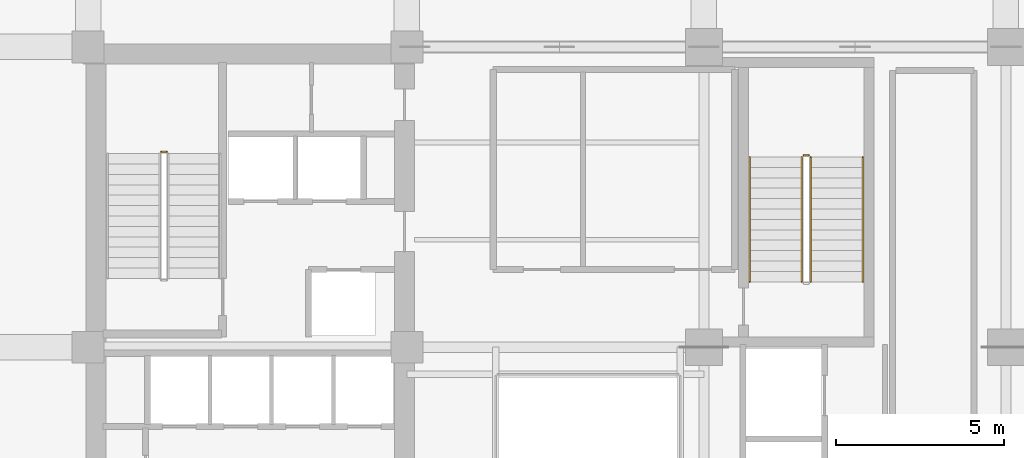
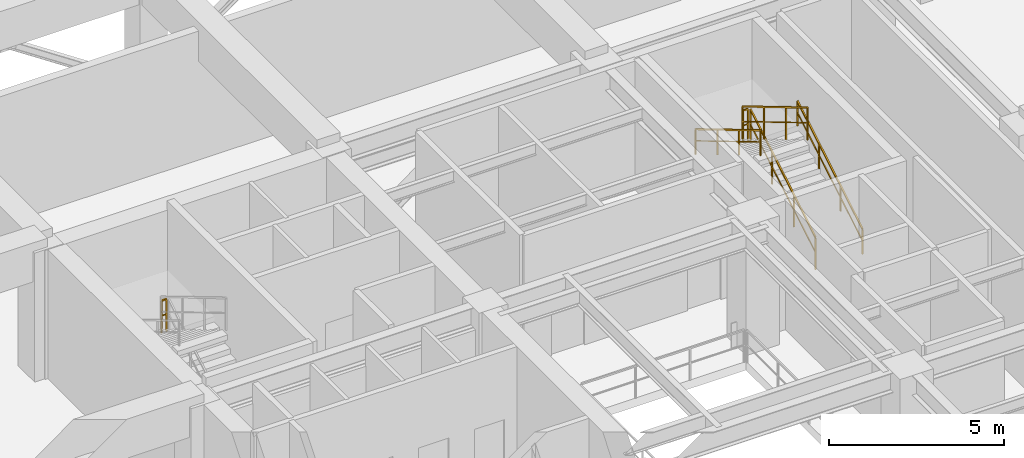
# One storey, part 10 of 10: 6 railings.
"""IFC4 building model written with IfcOpenShell, lengths in metres."""

from ifc_helpers import new_model, si_unit, direction, frame, origin, origin_2d, place, context, subcontext, project, spatial, rectangle, extrude, material, type_object, element, save


model = new_model("IFC4")

# Units and contexts
model_context = context("Model", 3, precision=1e-05, world=origin(), true_north=direction((0.0, 1.0)))
body_context = subcontext(model_context, "Body", "Model", "MODEL_VIEW")
ifc_project = project(units=[si_unit("LENGTHUNIT", "METRE"), si_unit("AREAUNIT", "SQUARE_METRE"), si_unit("VOLUMEUNIT", "CUBIC_METRE"), si_unit("PLANEANGLEUNIT", "RADIAN"), si_unit("MASSUNIT", "GRAM", prefix="KILO")], contexts=[model_context])

# Site, building, storey
site_placement = place(None, origin())
site = spatial("IfcSite", under=ifc_project, at=site_placement, CompositionType="ELEMENT")
building_placement = place(site_placement, origin())
building = spatial("IfcBuilding", under=site, at=building_placement, Name="Kundavana Baori Tower", CompositionType="ELEMENT")
storey_placement = place(building_placement, frame((0.0, 0.0, 94.0)))
storey = spatial("IfcBuildingStorey", under=building, at=storey_placement, Name="L22", CompositionType="ELEMENT", Elevation=94.0)

# Railings
ifc_material_1 = material(Name="Architectural Patinated Bronze Metalwork")
railing_type_1 = type_object("IfcRailingType", Name="RL-GRD-1150", PredefinedType="GUARDRAIL", material=ifc_material_1)
railing_1_placement = place(storey_placement, frame((17.7900390625, 38.820068359375, 2.39990234375)))
element("IfcRailing", 1, at=railing_1_placement, inside=storey, type_object=railing_type_1, Name="L22 ST2 stair guard 2", PredefinedType="GUARDRAIL", context=body_context, shape_type="SweptSolid", body=[
    extrude(rectangle(XDim=0.048095703125, YDim=0.048095703125, at=origin_2d()), frame((0.0, 0.0, 1.1259765625), z_axis=(-1.0, 0.0, 0.0), x_axis=(0.0, -1.0, 0.0)), (0.0, 0.0, 1.0), 0.16015625),
    extrude(rectangle(XDim=0.03125, YDim=0.03125, at=origin_2d()), frame((0.0, 0.0, 0.597900390625), z_axis=(-1.0, 0.0, 0.0), x_axis=(0.0, -1.0, 0.0)), (0.0, 0.0, 1.0), 0.16015625),
    extrude(rectangle(XDim=0.0419921875, YDim=0.0419921875, at=origin_2d()), origin(), (0.0, 0.0, 1.0), 1.101806640625),
    extrude(rectangle(XDim=0.0419921875, YDim=0.0419921875, at=origin_2d()), frame((-0.16015625, 0.0, 0.0)), (0.0, 0.0, 1.0), 1.101806640625),
])
railing_2_placement = place(storey_placement, frame((36.97998046875, 34.949951171875, 0.1845703125)))
element("IfcRailing", 2, at=railing_2_placement, inside=storey, type_object=railing_type_1, Name="L22 ST3 stair guard 1", PredefinedType="GUARDRAIL", context=body_context, shape_type="SweptSolid", body=[
    extrude(rectangle(XDim=0.048095703125, YDim=0.048095703125, at=origin_2d()), frame((0.0, 0.0, 1.1259765625), z_axis=(0.0, 0.859184880589, 0.511665262615), x_axis=(-1.0, 0.0, 0.0)), (0.0, 0.0, 1.0), 4.32958984375),
    extrude(rectangle(XDim=0.03125, YDim=0.03125, at=origin_2d()), frame((0.0, 0.0, 0.597900390625), z_axis=(0.0, 0.859184880589, 0.511665262615), x_axis=(-1.0, 0.0, 0.0)), (0.0, 0.0, 1.0), 4.32958984375),
    extrude(rectangle(XDim=0.0419921875, YDim=0.0419921875, at=origin_2d()), origin(), (0.0, 0.0, 1.0), 1.101806640625),
    extrude(rectangle(XDim=0.0419921875, YDim=0.0419921875, at=origin_2d()), frame((0.0, 1.239990234375, 0.738525390625)), (0.0, 0.0, 1.0), 1.101806640625),
    extrude(rectangle(XDim=0.0419921875, YDim=0.0419921875, at=origin_2d()), frame((0.0, 2.47998046875, 1.476806640625)), (0.0, 0.0, 1.0), 1.101806640625),
    extrude(rectangle(XDim=0.0419921875, YDim=0.0419921875, at=origin_2d()), frame((0.0, 3.719970703125, 2.21533203125)), (0.0, 0.0, 1.0), 1.101806640625),
])
railing_3_placement = place(storey_placement, frame((36.929931640625, 38.719970703125, 2.39990234375)))
element("IfcRailing", 3, at=railing_3_placement, inside=storey, type_object=railing_type_1, Name="L22 ST3 stair guard 2", PredefinedType="GUARDRAIL", context=body_context, shape_type="SweptSolid", body=[
    extrude(rectangle(XDim=0.048095703125, YDim=0.048095703125, at=origin_2d()), frame((0.0, 0.0, 1.1259765625), z_axis=(-1.0, 0.0, 0.0), x_axis=(0.0, -1.0, 0.0)), (0.0, 0.0, 1.0), 0.159912109375),
    extrude(rectangle(XDim=0.03125, YDim=0.03125, at=origin_2d()), frame((0.0, 0.0, 0.597900390625), z_axis=(-1.0, 0.0, 0.0), x_axis=(0.0, -1.0, 0.0)), (0.0, 0.0, 1.0), 0.159912109375),
    extrude(rectangle(XDim=0.0419921875, YDim=0.0419921875, at=origin_2d()), origin(), (0.0, 0.0, 1.0), 1.101806640625),
    extrude(rectangle(XDim=0.0419921875, YDim=0.0419921875, at=origin_2d()), frame((-0.159912109375, 0.0, 0.0)), (0.0, 0.0, 1.0), 1.101806640625),
])
railing_4_placement = place(storey_placement, frame((36.719970703125, 38.669921875, 2.584716796875)))
element("IfcRailing", 4, at=railing_4_placement, inside=storey, type_object=railing_type_1, Name="L22 ST3 stair guard 3", PredefinedType="GUARDRAIL", context=body_context, shape_type="SweptSolid", body=[
    extrude(rectangle(XDim=0.048095703125, YDim=0.048095703125, at=origin_2d()), frame((0.0, 0.0, 1.1259765625), z_axis=(0.0, -0.859184880589, 0.511665262615), x_axis=(1.0, 0.0, 0.0)), (0.0, 0.0, 1.0), 4.32958984375),
    extrude(rectangle(XDim=0.03125, YDim=0.03125, at=origin_2d()), frame((0.0, 0.0, 0.597900390625), z_axis=(0.0, -0.859184880589, 0.511665262615), x_axis=(1.0, 0.0, 0.0)), (0.0, 0.0, 1.0), 4.32958984375),
    extrude(rectangle(XDim=0.0419921875, YDim=0.0419921875, at=origin_2d()), origin(), (0.0, 0.0, 1.0), 1.101806640625),
    extrude(rectangle(XDim=0.0419921875, YDim=0.0419921875, at=origin_2d()), frame((0.0, -1.239990234375, 0.738525390625)), (0.0, 0.0, 1.0), 1.101806640625),
    extrude(rectangle(XDim=0.0419921875, YDim=0.0419921875, at=origin_2d()), frame((0.0, -2.47998046875, 1.476806640625)), (0.0, 0.0, 1.0), 1.101806640625),
    extrude(rectangle(XDim=0.0419921875, YDim=0.0419921875, at=origin_2d()), frame((0.0, -3.719970703125, 2.21533203125)), (0.0, 0.0, 1.0), 1.101806640625),
])
ifc_material_2 = material(Name="Architectural Patinated Bronze Metalwork")
railing_type_2 = type_object("IfcRailingType", Name="RL-HND-920", PredefinedType="HANDRAIL", material=ifc_material_2)
railing_5_placement = place(storey_placement, frame((38.530029296875, 34.949951171875, 0.1845703125)))
element("IfcRailing", 5, at=railing_5_placement, inside=storey, type_object=railing_type_2, Name="L22 ST3 stair handrail 1", PredefinedType="HANDRAIL", context=body_context, shape_type="SweptSolid", body=[
    extrude(rectangle(XDim=0.048095703125, YDim=0.048095703125, at=origin_2d()), frame((0.0, 0.0, 0.8759765625), z_axis=(0.0, 0.859184880589, 0.511665262615), x_axis=(-1.0, 0.0, 0.0)), (0.0, 0.0, 1.0), 4.32958984375),
    extrude(rectangle(XDim=0.03125, YDim=0.03125, at=origin_2d()), frame((0.0, 0.0, 0.468017578125), z_axis=(0.0, 0.859184880589, 0.511665262615), x_axis=(-1.0, 0.0, 0.0)), (0.0, 0.0, 1.0), 4.32958984375),
    extrude(rectangle(XDim=0.0419921875, YDim=0.0419921875, at=origin_2d()), origin(), (0.0, 0.0, 1.0), 0.851806640625),
    extrude(rectangle(XDim=0.0419921875, YDim=0.0419921875, at=origin_2d()), frame((0.0, 1.239990234375, 0.738525390625)), (0.0, 0.0, 1.0), 0.851806640625),
    extrude(rectangle(XDim=0.0419921875, YDim=0.0419921875, at=origin_2d()), frame((0.0, 2.47998046875, 1.476806640625)), (0.0, 0.0, 1.0), 0.851806640625),
    extrude(rectangle(XDim=0.0419921875, YDim=0.0419921875, at=origin_2d()), frame((0.0, 3.719970703125, 2.21533203125)), (0.0, 0.0, 1.0), 0.851806640625),
])
railing_6_placement = place(storey_placement, frame((35.169921875, 38.669921875, 2.584716796875)))
element("IfcRailing", 6, at=railing_6_placement, inside=storey, type_object=railing_type_2, Name="L22 ST3 stair handrail 2", PredefinedType="HANDRAIL", context=body_context, shape_type="SweptSolid", body=[
    extrude(rectangle(XDim=0.048095703125, YDim=0.048095703125, at=origin_2d()), frame((0.0, 0.0, 0.8759765625), z_axis=(0.0, -0.859184880589, 0.511665262615), x_axis=(1.0, 0.0, 0.0)), (0.0, 0.0, 1.0), 4.32958984375),
    extrude(rectangle(XDim=0.03125, YDim=0.03125, at=origin_2d()), frame((0.0, 0.0, 0.468017578125), z_axis=(0.0, -0.859184880589, 0.511665262615), x_axis=(1.0, 0.0, 0.0)), (0.0, 0.0, 1.0), 4.32958984375),
    extrude(rectangle(XDim=0.0419921875, YDim=0.0419921875, at=origin_2d()), origin(), (0.0, 0.0, 1.0), 0.851806640625),
    extrude(rectangle(XDim=0.0419921875, YDim=0.0419921875, at=origin_2d()), frame((0.0, -1.239990234375, 0.738525390625)), (0.0, 0.0, 1.0), 0.851806640625),
    extrude(rectangle(XDim=0.0419921875, YDim=0.0419921875, at=origin_2d()), frame((0.0, -2.47998046875, 1.476806640625)), (0.0, 0.0, 1.0), 0.851806640625),
    extrude(rectangle(XDim=0.0419921875, YDim=0.0419921875, at=origin_2d()), frame((0.0, -3.719970703125, 2.21533203125)), (0.0, 0.0, 1.0), 0.851806640625),
])

save(model, "model.ifc")
